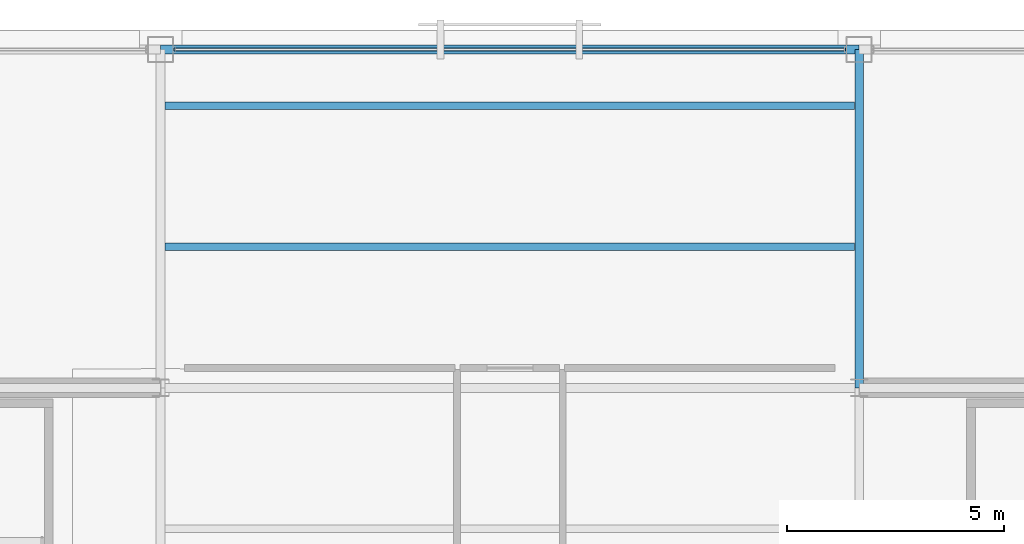
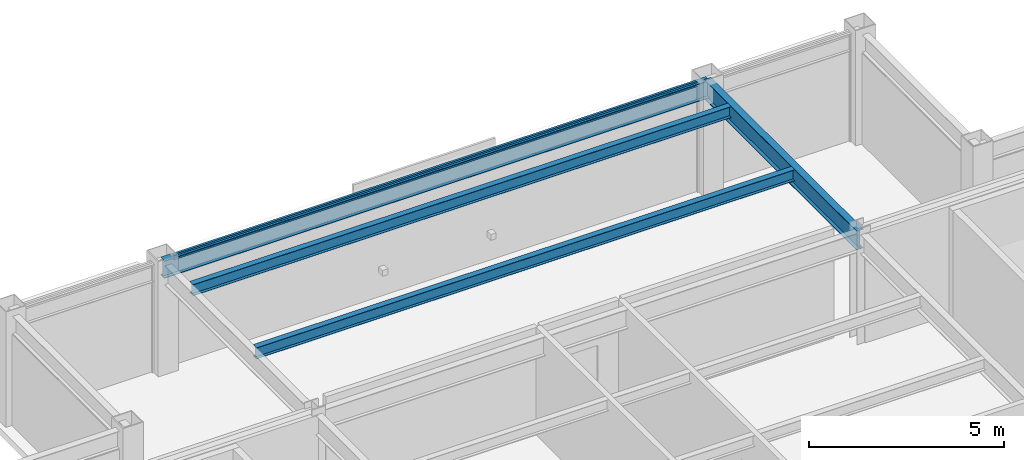
# One storey, part 17 of 24: 4 beams, 1 member, 1 element without a shape of its own.
"""IFC4 building model written with IfcOpenShell, lengths in metres."""

from ifc_helpers import new_model, si_unit, direction, frame, origin, origin_2d, place, context, subcontext, project, spatial, hollow_rectangle, i_section, extrude, material, layer, layer_set, material_profile, profile_set, type_object, element, aggregate, save


model = new_model("IFC4")

# Units and contexts
model_context = context("Model", 3, precision=1e-05, world=origin(), true_north=direction((0.0, 1.0)))
body_context = subcontext(model_context, "Body", "Model", "MODEL_VIEW")
ifc_project = project(units=[si_unit("LENGTHUNIT", "METRE"), si_unit("AREAUNIT", "SQUARE_METRE"), si_unit("VOLUMEUNIT", "CUBIC_METRE"), si_unit("PLANEANGLEUNIT", "RADIAN"), si_unit("MASSUNIT", "GRAM", prefix="KILO")], contexts=[model_context])

# Site, building, storey
site_placement = place(None, origin())
site = spatial("IfcSite", under=ifc_project, at=site_placement, CompositionType="ELEMENT")
building_placement = place(site_placement, origin())
building = spatial("IfcBuilding", under=site, at=building_placement, Name="Brelmoor Portico Tower", CompositionType="ELEMENT")
storey_placement = place(building_placement, frame((0.0, 0.0, 254.39990234375)))
storey = spatial("IfcBuildingStorey", under=building, at=storey_placement, Name="L67", CompositionType="ELEMENT", Elevation=254.39990234375)

# Beams
ifc_material_1 = material(Name="Steel Q355B", Category="steel")
ifc_material_profile_1 = material_profile(ifc_material_1, i_section(OverallWidth=0.175048828125, OverallDepth=0.35009765625, WebThickness=0.007080078125, FlangeThickness=0.010986328125, at=origin_2d()), Name="HN 350x175x7x11")
ifc_profile_set_1 = profile_set([ifc_material_profile_1], Name="Steel Q355B")
beam_type_1 = type_object("IfcBeamType", Name="BM-JS-350", PredefinedType="JOIST", material=ifc_profile_set_1)
for number, where, z_axis, x_axis, name in (
    (1, (-7.949951171875, 13.0, 3.22509765625), (1.0, 0.0, 0.0), (0.0, 1.0, 0.0), "L67 Secondary Composite Joist JS-C05"),
    (2, (-7.949951171875, 16.25, 3.22509765625), (1.0, 0.0, 0.0), (0.0, 1.0, 0.0), "L67 Secondary Composite Joist JS-C06"),
):
    element("IfcBeam", number, at=place(storey_placement, frame(where, z_axis=z_axis, x_axis=x_axis)), inside=storey, type_object=beam_type_1, Name=name, PredefinedType="JOIST", context=body_context, shape_type="SweptSolid", body=[
        extrude(i_section(OverallWidth=0.175048828125, OverallDepth=0.35009765625, WebThickness=0.007080078125, FlangeThickness=0.010986328125, at=origin_2d()), origin(), (0.0, 0.0, 1.0), 15.89990234375),
    ])
ifc_material_profile_2 = material_profile(ifc_material_1, i_section(OverallWidth=0.199951171875, OverallDepth=0.60009765625, WebThickness=0.010986328125, FlangeThickness=0.01708984375, at=origin_2d()), Name="HN 600x200x11x17")
ifc_profile_set_2 = profile_set([ifc_material_profile_2], Name="Steel Q355B")
beam_type_2 = type_object("IfcBeamType", Name="BM-PG-600", PredefinedType="BEAM", material=ifc_profile_set_2)
beam_1_placement = place(storey_placement, frame((8.050048828125, 9.75, 3.10009765625), z_axis=(0.0, 1.0, 0.0), x_axis=(-1.0, 0.0, 0.0)))
element("IfcBeam", 3, at=beam_1_placement, inside=storey, type_object=beam_type_2, Name="L67 Primary Floor Girder PG-08", PredefinedType="BEAM", context=body_context, shape_type="SweptSolid", body=[
    extrude(i_section(OverallWidth=0.199951171875, OverallDepth=0.60009765625, WebThickness=0.010986328125, FlangeThickness=0.01708984375, at=origin_2d()), origin(), (0.0, 0.0, 1.0), 7.800048828125),
])
ifc_material_profile_3 = material_profile(ifc_material_1, i_section(OverallWidth=0.199951171875, OverallDepth=0.550048828125, WebThickness=0.010009765625, FlangeThickness=0.01611328125, at=origin_2d()), Name="HN 550x200x10x16")
ifc_profile_set_3 = profile_set([ifc_material_profile_3], Name="Steel Q355B")
beam_type_3 = type_object("IfcBeamType", Name="BM-SP-550", PredefinedType="SPANDREL", material=ifc_profile_set_3)
beam_2_placement = place(storey_placement, frame((-8.050048828125, 17.550048828125, 3.125), z_axis=(1.0, 0.0, 0.0), x_axis=(0.0, 1.0, 0.0)))
element("IfcBeam", 4, at=beam_2_placement, inside=storey, type_object=beam_type_3, Name="L67 Perimeter Spandrel Beam SP-09", PredefinedType="SPANDREL", context=body_context, shape_type="SweptSolid", body=[
    extrude(i_section(OverallWidth=0.199951171875, OverallDepth=0.550048828125, WebThickness=0.010009765625, FlangeThickness=0.01611328125, at=origin_2d()), origin(), (0.0, 0.0, 1.0), 16.10009765625),
])

# Curtain wall, member
ifc_material_2 = material(Name="Anodised Aluminium Alloy 6063-T6", Category="aluminium")
ifc_layer = layer(ifc_material_2, 0.179931640625)
ifc_layer_set = layer_set([ifc_layer], Name="Anodised Aluminium Alloy 6063-T6")
curtain_wall_type = type_object("IfcCurtainWallType", Name="CW-TOWER-Z4-XB", PredefinedType="NOTDEFINED", material=ifc_layer_set)
curtain_wall_placement = place(storey_placement, origin())
curtain_wall = element("IfcCurtainWall", 5, at=curtain_wall_placement, inside=storey, type_object=curtain_wall_type, Name="L67 Curtain Wall CW-L67-02-2", PredefinedType="NOTDEFINED")
ifc_material_profile_4 = material_profile(ifc_material_2, hollow_rectangle(XDim=0.06005859375, YDim=0.125, WallThickness=0.00341796875, at=origin_2d()), Name="ALU TRANSOM 60x125")
ifc_profile_set_4 = profile_set([ifc_material_profile_4], Name="Anodised Aluminium Alloy 6063-T6")
member_type = type_object("IfcMemberType", Name="MB-CW-TRAN-125", PredefinedType="USERDEFINED", material=ifc_profile_set_4)
member_placement = place(storey_placement, frame((-7.739990234375, 17.550048828125, 3.337646484375), z_axis=(1.0, 0.0, 0.0), x_axis=(0.0, 1.0, 0.0)))
member = element("IfcMember", 6, at=member_placement, type_object=member_type, Name="CW-L67-02-2 Transom 1-00", ObjectType="TRANSOM", PredefinedType="USERDEFINED", context=body_context, shape_type="SweptSolid", body=[
    extrude(hollow_rectangle(XDim=0.06005859375, YDim=0.125, WallThickness=0.00341796875, at=origin_2d()), origin(), (0.0, 0.0, 1.0), 15.47998046875),
])
aggregate(curtain_wall, [member])

save(model, "model.ifc")
